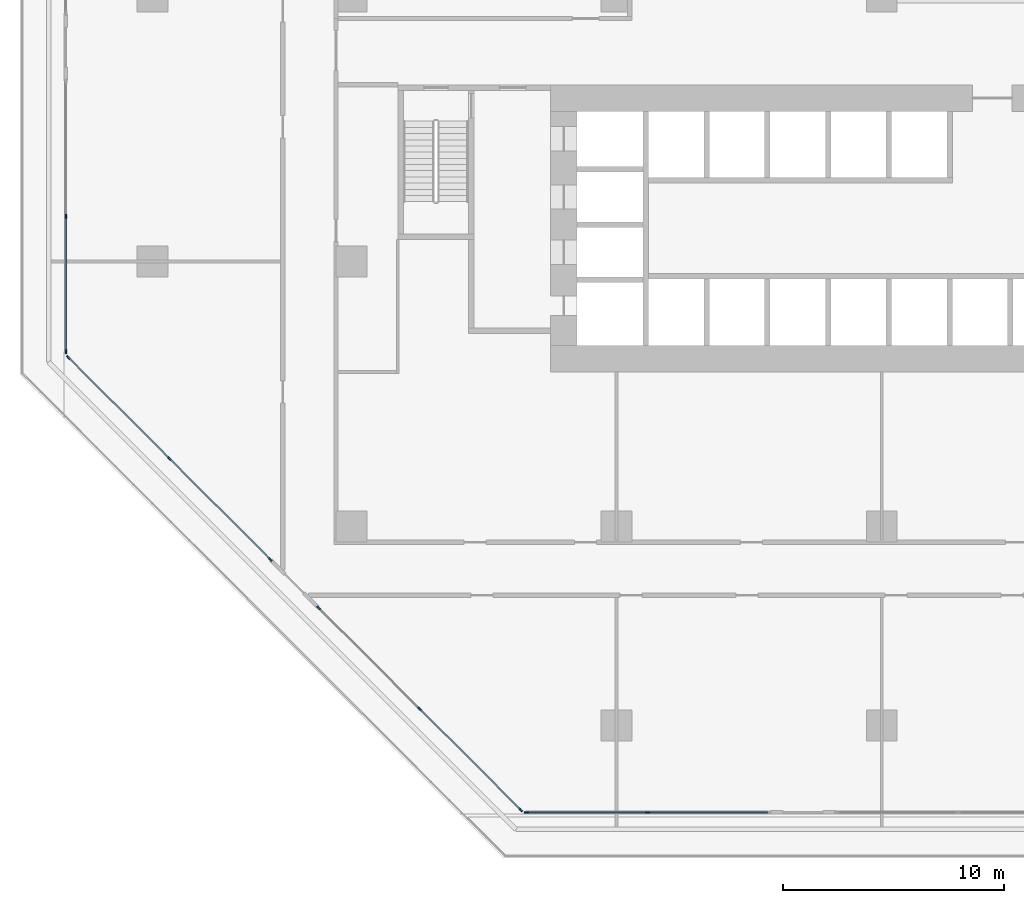
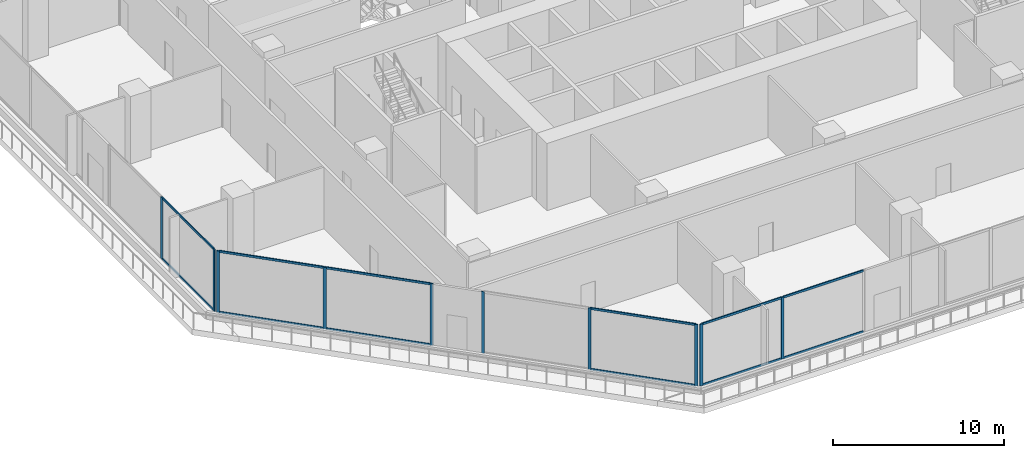
# One storey, part 2 of 31: 22 members, 4 elements without a shape of their own.
"""IFC4 building model written with IfcOpenShell, lengths in metres."""

import ifcopenshell
import ifcopenshell.guid

model = None  # the IFC model being written
_history = None  # IfcOwnerHistory: only IFC2X3 demands one
_inside = {}  # id of a spatial element -> (the spatial element, [elements in it])
_under = {}  # id of a project, library or spatial element -> (it, [spatial elements below it])
_declared = {}  # id of a project -> (the project, [libraries it declares])
_typed = {}  # id of a type object -> (the type object, [elements of that type])
_made_of = {}  # id of a material, layer set ... -> (it, [elements and type objects made of it])


def new_model(schema):
    """Start an empty IFC model of exactly this schema.

    Asked for "IFC4X3", IfcOpenShell would pick the latest addendum, in which some entities
    have other attributes; the version numbers below select the first issue.
    IFC2X3 requires an IfcOwnerHistory on every rooted entity: one is made here for all.
    """
    global model, _history
    if schema == "IFC4X3":
        model = ifcopenshell.file(schema_version=(4, 3, 0, 0))
    else:
        model = ifcopenshell.file(schema=schema)
    _inside.clear()
    _under.clear()
    _declared.clear()
    _typed.clear()
    _made_of.clear()
    _history = None
    if model.schema == "IFC2X3":
        org = make("IfcOrganization", Name="unknown")
        user = make(
            "IfcPersonAndOrganization",
            ThePerson=make("IfcPerson", FamilyName="unknown"),
            TheOrganization=org,
        )
        app = make(
            "IfcApplication",
            ApplicationDeveloper=org,
            Version="unknown",
            ApplicationFullName="unknown",
            ApplicationIdentifier="unknown",
        )
        _history = make(
            "IfcOwnerHistory",
            OwningUser=user,
            OwningApplication=app,
            ChangeAction="ADDED",
            CreationDate=0,
        )
    return model


def make(cls, **values):
    """One entity of the class cls with the attributes given. An attribute that is None is left unset."""
    return model.create_entity(
        cls, **{name: value for name, value in values.items() if value is not None}
    )


def rooted(cls, **values):
    """An entity with a GlobalId (a new one), such as an element, a storey or a relation."""
    return make(cls, GlobalId=ifcopenshell.guid.new(), OwnerHistory=_history, **values)


def si_unit(unit_type, name, prefix=None):
    """IfcSIUnit, for example si_unit("LENGTHUNIT", "METRE", prefix="MILLI")."""
    return make("IfcSIUnit", UnitType=unit_type, Prefix=prefix, Name=name)


def assignment(units):
    """IfcUnitAssignment: the units of a project."""
    return None if units is None else make("IfcUnitAssignment", Units=units)


def point(xyz):
    """IfcCartesianPoint."""
    return None if xyz is None else make("IfcCartesianPoint", Coordinates=xyz)


def direction(xyz):
    """IfcDirection."""
    return None if xyz is None else make("IfcDirection", DirectionRatios=xyz)


def frame(location, z_axis=None, x_axis=None):
    """IfcAxis2Placement3D, a coordinate frame: its origin and axes. An axis left out is left unset."""
    return make(
        "IfcAxis2Placement3D",
        Location=point(location),
        Axis=direction(z_axis),
        RefDirection=direction(x_axis),
    )


def frame_2d(location, x_axis=None):
    """IfcAxis2Placement2D, a coordinate frame in the plane: its origin and x axis."""
    return make(
        "IfcAxis2Placement2D", Location=point(location), RefDirection=direction(x_axis)
    )


def origin():
    """The frame at (0, 0, 0) with its axes left unset."""
    return frame((0.0, 0.0, 0.0))


def origin_2d():
    """The frame at (0, 0) in the plane with its x axis left unset."""
    return frame_2d((0.0, 0.0))


def place(relative_to, where):
    """IfcLocalPlacement: puts the frame where relative to a parent placement (None: the world)."""
    return make(
        "IfcLocalPlacement", PlacementRelTo=relative_to, RelativePlacement=where
    )


def context(
    kind, dimensions, precision=None, world=None, true_north=None, identifier=None
):
    """IfcGeometricRepresentationContext, for example the 3D "Model" context."""
    return make(
        "IfcGeometricRepresentationContext",
        ContextIdentifier=identifier,
        ContextType=kind,
        CoordinateSpaceDimension=dimensions,
        Precision=precision,
        WorldCoordinateSystem=world,
        TrueNorth=true_north,
    )


def subcontext(parent, identifier, kind, view, scale=None):
    """IfcGeometricRepresentationSubContext, for example "Body" below "Model"."""
    return make(
        "IfcGeometricRepresentationSubContext",
        ContextIdentifier=identifier,
        ContextType=kind,
        ParentContext=parent,
        TargetScale=scale,
        TargetView=view,
    )


def project(units=None, contexts=None):
    """IfcProject with its units and contexts."""
    return rooted(
        "IfcProject",
        Name="project",
        RepresentationContexts=contexts,
        UnitsInContext=assignment(units),
    )


def spatial(cls, under=None, at=None, **own):
    """A site, building, storey or space (cls), placed at a placement, below another one or the project."""
    s = rooted(cls, ObjectPlacement=at, **own)
    if under is not None:
        _under.setdefault(under.id(), (under, []))[1].append(s)
    return s


def profile(cls, at=None, kind="AREA", **sizes):
    """A parametric profile (cls). Its sizes go by their IFC names, for example OverallWidth=200.0."""
    return make(cls, ProfileType=kind, Position=at, **sizes)


def rectangle(**sizes):
    """IfcRectangleProfileDef."""
    return profile("IfcRectangleProfileDef", **sizes)


def extrude(swept, where, along, depth):
    """IfcExtrudedAreaSolid: the profile swept, set in the frame where, extruded along a direction by depth."""
    return make(
        "IfcExtrudedAreaSolid",
        SweptArea=swept,
        Position=where,
        ExtrudedDirection=direction(along),
        Depth=depth,
    )


def shape(context_of_items, identifier, shape_type, items):
    """IfcShapeRepresentation: the items that make up one representation, for example the "Body"."""
    return make(
        "IfcShapeRepresentation",
        ContextOfItems=context_of_items,
        RepresentationIdentifier=identifier,
        RepresentationType=shape_type,
        Items=items,
    )


def material(Name=None, Category=None):
    """IfcMaterial."""
    return make("IfcMaterial", Name=Name, Category=Category)


def layer(
    of_material, thickness, ventilated=None, Name=None, Category=None, Priority=None
):
    """IfcMaterialLayer: one layer of a wall or slab, of a material (None: an air gap)."""
    return make(
        "IfcMaterialLayer",
        Material=of_material,
        LayerThickness=thickness,
        IsVentilated=ventilated,
        Name=Name,
        Category=Category,
        Priority=Priority,
    )


def layer_set(layers, Name=None):
    """IfcMaterialLayerSet."""
    return make("IfcMaterialLayerSet", MaterialLayers=layers, LayerSetName=Name)


def material_profile(
    of_material, cross_section, Name=None, Category=None, Priority=None
):
    """IfcMaterialProfile: a cross section and its material."""
    return make(
        "IfcMaterialProfile",
        Name=Name,
        Material=of_material,
        Profile=cross_section,
        Priority=Priority,
        Category=Category,
    )


def profile_set(profiles, Name=None, composite=None):
    """IfcMaterialProfileSet."""
    return make(
        "IfcMaterialProfileSet",
        Name=Name,
        MaterialProfiles=profiles,
        CompositeProfile=composite,
    )


def made_of(thing, what):
    """Note that an element or type object is made of a material, layer set ...; save() writes the relation."""
    if what is not None:
        _made_of.setdefault(what.id(), (what, []))[1].append(thing)
    return thing


def type_object(cls, material=None, **own):
    """A type object (cls), such as IfcWallType, which elements share."""
    return made_of(rooted(cls, **own), material)


def element(
    cls,
    number,
    at=None,
    inside=None,
    cuts=None,
    type_object=None,
    material=None,
    context=None,
    identifier="Body",
    shape_type=None,
    held_by="IfcProductDefinitionShape",
    body=None,
    shapes=None,
    **own,
):
    """One element of the class cls, such as IfcWall. Its Tag is "e" and its number.

    at: its placement. inside: the storey or other place that contains it. cuts: it is an
    opening in that element (IfcRelVoidsElement). A single representation is given by context,
    identifier, shape_type and body (its items); several are given by shapes. held_by: the class
    of the entity that holds the representations. save() writes the other relations.
    """
    e = rooted(cls, Tag="e%d" % number, ObjectPlacement=at, **own)
    if body is not None:
        shapes = [shape(context, identifier, shape_type, body)]
    if shapes is not None:
        e.Representation = make(held_by, Representations=shapes)
    if inside is not None:
        _inside.setdefault(inside.id(), (inside, []))[1].append(e)
    if cuts is not None:
        rooted(
            "IfcRelVoidsElement", RelatingBuildingElement=cuts, RelatedOpeningElement=e
        )
    if type_object is not None:
        _typed.setdefault(type_object.id(), (type_object, []))[1].append(e)
    return made_of(e, material)


def aggregate(whole, parts):
    """IfcRelAggregates: a whole, such as a stair, and the parts it consists of."""
    return rooted("IfcRelAggregates", RelatingObject=whole, RelatedObjects=parts)


def save(model, path):
    """Write the relations noted so far, then the file.

    IfcRelAggregates (storeys below a building ...), IfcRelContainedInSpatialStructure (elements
    in a storey), IfcRelDefinesByType, IfcRelAssociatesMaterial and IfcRelDeclares: one each for
    every whole, place, type object, material and project.
    """
    for whole, parts in _under.values():
        aggregate(whole, parts)
    for where, things in _inside.values():
        rooted(
            "IfcRelContainedInSpatialStructure",
            RelatedElements=things,
            RelatingStructure=where,
        )
    for kind, things in _typed.values():
        rooted("IfcRelDefinesByType", RelatedObjects=things, RelatingType=kind)
    for what, things in _made_of.values():
        rooted("IfcRelAssociatesMaterial", RelatedObjects=things, RelatingMaterial=what)
    for by, libraries in _declared.values():
        rooted("IfcRelDeclares", RelatingContext=by, RelatedDefinitions=libraries)
    model.write(path)


model = new_model("IFC4")

# Units and contexts
model_context = context("Model", 3, precision=1e-05, world=origin(), true_north=direction((0.0, 1.0)))
body_context = subcontext(model_context, "Body", "Model", "MODEL_VIEW")
ifc_project = project(units=[si_unit("LENGTHUNIT", "METRE"), si_unit("AREAUNIT", "SQUARE_METRE"), si_unit("VOLUMEUNIT", "CUBIC_METRE"), si_unit("PLANEANGLEUNIT", "RADIAN"), si_unit("MASSUNIT", "GRAM", prefix="KILO")], contexts=[model_context])

# Site, building, storey
site_placement = place(None, origin())
site = spatial("IfcSite", under=ifc_project, at=site_placement, CompositionType="ELEMENT")
building_placement = place(site_placement, origin())
building = spatial("IfcBuilding", under=site, at=building_placement, Name="Chenar Terraces", CompositionType="ELEMENT")
storey_placement = place(building_placement, frame((0.0, 0.0, 7.199951171875)))
storey = spatial("IfcBuildingStorey", under=building, at=storey_placement, Name="L01", CompositionType="ELEMENT", Elevation=7.199951171875)

# Curtain wall, members
ifc_material_1 = material(Name="Aluminium framed glazing", Category="aluminium")
ifc_layer = layer(ifc_material_1, 0.14990234375)
ifc_layer_set = layer_set([ifc_layer], Name="Aluminium framed glazing")
curtain_wall_type = type_object("IfcCurtainWallType", Name="School curtain wall", PredefinedType="NOTDEFINED", material=ifc_layer_set)
placement = place(storey_placement, origin())
curtain_wall_1 = element("IfcCurtainWall", 1, at=placement, inside=storey, type_object=curtain_wall_type, Name="School curtain wall", PredefinedType="NOTDEFINED")
ifc_material_2 = material(Name="Aluminium", Category="aluminium")
ifc_material_profile_1 = material_profile(ifc_material_2, rectangle(XDim=0.070068359375, YDim=0.199951171875, at=origin_2d()), Name="School glazing mullion 70 x 200")
ifc_profile_set_1 = profile_set([ifc_material_profile_1], Name="Aluminium")
member_type_1 = type_object("IfcMemberType", Name="School glazing mullion 70 x 200", PredefinedType="MULLION", material=ifc_profile_set_1)
member_1_placement = place(storey_placement, frame((-12.925048828125, 14.03369140625, 0.0), z_axis=(0.0, 0.0, 1.0), x_axis=(1.0, 0.0, 0.0)))
member_1 = element("IfcMember", 2, at=member_1_placement, type_object=member_type_1, Name="CW2-04c3 mullion 2", PredefinedType="MULLION", context=body_context, shape_type="SweptSolid", body=[
    extrude(rectangle(XDim=0.070068359375, YDim=0.199951171875, at=origin_2d()), origin(), (0.0, 0.0, 1.0), 4.400146484375),
])
member_2_placement = place(storey_placement, frame((-12.925048828125, 7.92138671875, 0.0), z_axis=(0.0, 0.0, 1.0), x_axis=(1.0, 0.0, 0.0)))
member_2 = element("IfcMember", 3, at=member_2_placement, type_object=member_type_1, Name="CW2-04c3 mullion 3", PredefinedType="MULLION", context=body_context, shape_type="SweptSolid", body=[
    extrude(rectangle(XDim=0.070068359375, YDim=0.199951171875, at=origin_2d()), origin(), (0.0, 0.0, 1.0), 4.400146484375),
])

curtain_wall_2 = element("IfcCurtainWall", 4, at=placement, inside=storey, type_object=curtain_wall_type, Name="School curtain wall", PredefinedType="NOTDEFINED")
member_3_placement = place(storey_placement, frame((-12.816162109375, 7.65869140625, 0.0), z_axis=(0.0, 0.0, 1.0), x_axis=(0.707106781187, 0.707106781187, 0.0)))
member_3 = element("IfcMember", 5, at=member_3_placement, type_object=member_type_1, Name="CW2-05c0 mullion 1", PredefinedType="MULLION", context=body_context, shape_type="SweptSolid", body=[
    extrude(rectangle(XDim=0.070068359375, YDim=0.199951171875, at=origin_2d()), origin(), (0.0, 0.0, 1.0), 4.400146484375),
])
member_4_placement = place(storey_placement, frame((-8.24462890625, 3.087158203125, 0.0), z_axis=(0.0, 0.0, 1.0), x_axis=(0.707106781187, 0.707106781187, 0.0)))
member_4 = element("IfcMember", 6, at=member_4_placement, type_object=member_type_1, Name="CW2-05c0 mullion 2", PredefinedType="MULLION", context=body_context, shape_type="SweptSolid", body=[
    extrude(rectangle(XDim=0.070068359375, YDim=0.199951171875, at=origin_2d()), origin(), (0.0, 0.0, 1.0), 4.400146484375),
])
member_5_placement = place(storey_placement, frame((-3.6728515625, -1.484375, 0.0), z_axis=(0.0, 0.0, 1.0), x_axis=(0.707106781187, 0.707106781187, 0.0)))
member_5 = element("IfcMember", 7, at=member_5_placement, type_object=member_type_1, Name="CW2-05c0 mullion 3", PredefinedType="MULLION", context=body_context, shape_type="SweptSolid", body=[
    extrude(rectangle(XDim=0.070068359375, YDim=0.199951171875, at=origin_2d()), origin(), (0.0, 0.0, 1.0), 4.400146484375),
])

curtain_wall_3 = element("IfcCurtainWall", 8, at=placement, inside=storey, type_object=curtain_wall_type, Name="School curtain wall", PredefinedType="NOTDEFINED")
member_6_placement = place(storey_placement, frame((-1.484375, -3.6728515625, 0.0), z_axis=(0.0, 0.0, 1.0), x_axis=(0.707106781187, 0.707106781187, 0.0)))
member_6 = element("IfcMember", 9, at=member_6_placement, type_object=member_type_1, Name="CW2-05c1 mullion 1", PredefinedType="MULLION", context=body_context, shape_type="SweptSolid", body=[
    extrude(rectangle(XDim=0.070068359375, YDim=0.199951171875, at=origin_2d()), origin(), (0.0, 0.0, 1.0), 4.400146484375),
])
member_7_placement = place(storey_placement, frame((3.087158203125, -8.24462890625, 0.0), z_axis=(0.0, 0.0, 1.0), x_axis=(0.707106781187, 0.707106781187, 0.0)))
member_7 = element("IfcMember", 10, at=member_7_placement, type_object=member_type_1, Name="CW2-05c1 mullion 2", PredefinedType="MULLION", context=body_context, shape_type="SweptSolid", body=[
    extrude(rectangle(XDim=0.070068359375, YDim=0.199951171875, at=origin_2d()), origin(), (0.0, 0.0, 1.0), 4.400146484375),
])
member_8_placement = place(storey_placement, frame((7.65869140625, -12.816162109375, 0.0), z_axis=(0.0, 0.0, 1.0), x_axis=(0.707106781187, 0.707106781187, 0.0)))
member_8 = element("IfcMember", 11, at=member_8_placement, type_object=member_type_1, Name="CW2-05c1 mullion 3", PredefinedType="MULLION", context=body_context, shape_type="SweptSolid", body=[
    extrude(rectangle(XDim=0.070068359375, YDim=0.199951171875, at=origin_2d()), origin(), (0.0, 0.0, 1.0), 4.400146484375),
])

curtain_wall_4 = element("IfcCurtainWall", 12, at=placement, inside=storey, type_object=curtain_wall_type, Name="School curtain wall", PredefinedType="NOTDEFINED")
member_9_placement = place(storey_placement, frame((7.92138671875, -12.925048828125, 0.0), z_axis=(0.0, 0.0, 1.0), x_axis=(0.0, 1.0, 0.0)))
member_9 = element("IfcMember", 13, at=member_9_placement, type_object=member_type_1, Name="CW2-06c0 mullion 1", PredefinedType="MULLION", context=body_context, shape_type="SweptSolid", body=[
    extrude(rectangle(XDim=0.070068359375, YDim=0.199951171875, at=origin_2d()), origin(), (0.0, 0.0, 1.0), 4.400146484375),
])
member_10_placement = place(storey_placement, frame((13.40283203125, -12.925048828125, 0.0), z_axis=(0.0, 0.0, 1.0), x_axis=(0.0, 1.0, 0.0)))
member_10 = element("IfcMember", 14, at=member_10_placement, type_object=member_type_1, Name="CW2-06c0 mullion 2", PredefinedType="MULLION", context=body_context, shape_type="SweptSolid", body=[
    extrude(rectangle(XDim=0.070068359375, YDim=0.199951171875, at=origin_2d()), origin(), (0.0, 0.0, 1.0), 4.400146484375),
])

# Member
ifc_material_3 = material(Name="Aluminium", Category="aluminium")
ifc_material_profile_2 = material_profile(ifc_material_3, rectangle(XDim=0.070068359375, YDim=0.14990234375, at=origin_2d()), Name="School glazing transom 70 x 150")
ifc_profile_set_2 = profile_set([ifc_material_profile_2], Name="Aluminium")
member_type_2 = type_object("IfcMemberType", Name="School glazing transom 70 x 150", PredefinedType="USERDEFINED", material=ifc_profile_set_2)
member_11_placement = place(storey_placement, frame((-12.925048828125, 13.99853515625, 0.03515625), z_axis=(0.0, -1.0, 0.0), x_axis=(1.0, 0.0, 0.0)))
member_11 = element("IfcMember", 15, at=member_11_placement, type_object=member_type_2, Name="CW2-04c3 transom 2.1", ObjectType="TRANSOM", PredefinedType="USERDEFINED", context=body_context, shape_type="SweptSolid", body=[
    extrude(rectangle(XDim=0.070068359375, YDim=0.14990234375, at=origin_2d()), origin(), (0.0, 0.0, 1.0), 6.0419921875),
])

member_12_placement = place(storey_placement, frame((-12.925048828125, 13.99853515625, 4.364990234375), z_axis=(0.0, -1.0, 0.0), x_axis=(1.0, 0.0, 0.0)))
member_12 = element("IfcMember", 16, at=member_12_placement, type_object=member_type_2, Name="CW2-04c3 transom 2.2", ObjectType="TRANSOM", PredefinedType="USERDEFINED", context=body_context, shape_type="SweptSolid", body=[
    extrude(rectangle(XDim=0.070068359375, YDim=0.14990234375, at=origin_2d()), origin(), (0.0, 0.0, 1.0), 6.0419921875),
])

aggregate(curtain_wall_1, [member_1, member_2, member_11, member_12])

member_13_placement = place(storey_placement, frame((-12.79150390625, 7.634033203125, 0.03515625), z_axis=(0.707106781187, -0.707106781187, 0.0), x_axis=(0.707106781187, 0.707106781187, 0.0)))
member_13 = element("IfcMember", 17, at=member_13_placement, type_object=member_type_2, Name="CW2-05c0 transom 1.1", ObjectType="TRANSOM", PredefinedType="USERDEFINED", context=body_context, shape_type="SweptSolid", body=[
    extrude(rectangle(XDim=0.070068359375, YDim=0.14990234375, at=origin_2d()), origin(), (0.0, 0.0, 1.0), 6.395263671875),
])

member_14_placement = place(storey_placement, frame((-12.79150390625, 7.634033203125, 4.364990234375), z_axis=(0.707106781187, -0.707106781187, 0.0), x_axis=(0.707106781187, 0.707106781187, 0.0)))
member_14 = element("IfcMember", 18, at=member_14_placement, type_object=member_type_2, Name="CW2-05c0 transom 1.2", ObjectType="TRANSOM", PredefinedType="USERDEFINED", context=body_context, shape_type="SweptSolid", body=[
    extrude(rectangle(XDim=0.070068359375, YDim=0.14990234375, at=origin_2d()), origin(), (0.0, 0.0, 1.0), 6.395263671875),
])

member_15_placement = place(storey_placement, frame((-8.2197265625, 3.062255859375, 0.03515625), z_axis=(0.707106781187, -0.707106781187, 0.0), x_axis=(0.707106781187, 0.707106781187, 0.0)))
member_15 = element("IfcMember", 19, at=member_15_placement, type_object=member_type_2, Name="CW2-05c0 transom 2.1", ObjectType="TRANSOM", PredefinedType="USERDEFINED", context=body_context, shape_type="SweptSolid", body=[
    extrude(rectangle(XDim=0.070068359375, YDim=0.14990234375, at=origin_2d()), origin(), (0.0, 0.0, 1.0), 6.39501953125),
])

member_16_placement = place(storey_placement, frame((-8.2197265625, 3.062255859375, 4.364990234375), z_axis=(0.707106781187, -0.707106781187, 0.0), x_axis=(0.707106781187, 0.707106781187, 0.0)))
member_16 = element("IfcMember", 20, at=member_16_placement, type_object=member_type_2, Name="CW2-05c0 transom 2.2", ObjectType="TRANSOM", PredefinedType="USERDEFINED", context=body_context, shape_type="SweptSolid", body=[
    extrude(rectangle(XDim=0.070068359375, YDim=0.14990234375, at=origin_2d()), origin(), (0.0, 0.0, 1.0), 6.39501953125),
])

aggregate(curtain_wall_2, [member_3, member_4, member_5, member_13, member_14, member_15, member_16])

member_17_placement = place(storey_placement, frame((3.11181640625, -8.269287109375, 0.03515625), z_axis=(0.707106781187, -0.707106781187, 0.0), x_axis=(0.707106781187, 0.707106781187, 0.0)))
member_17 = element("IfcMember", 21, at=member_17_placement, type_object=member_type_2, Name="CW2-05c1 transom 2.1", ObjectType="TRANSOM", PredefinedType="USERDEFINED", context=body_context, shape_type="SweptSolid", body=[
    extrude(rectangle(XDim=0.070068359375, YDim=0.14990234375, at=origin_2d()), origin(), (0.0, 0.0, 1.0), 6.395263671875),
])

member_18_placement = place(storey_placement, frame((3.11181640625, -8.269287109375, 4.364990234375), z_axis=(0.707106781187, -0.707106781187, 0.0), x_axis=(0.707106781187, 0.707106781187, 0.0)))
member_18 = element("IfcMember", 22, at=member_18_placement, type_object=member_type_2, Name="CW2-05c1 transom 2.2", ObjectType="TRANSOM", PredefinedType="USERDEFINED", context=body_context, shape_type="SweptSolid", body=[
    extrude(rectangle(XDim=0.070068359375, YDim=0.14990234375, at=origin_2d()), origin(), (0.0, 0.0, 1.0), 6.395263671875),
])

aggregate(curtain_wall_3, [member_6, member_7, member_8, member_17, member_18])

member_19_placement = place(storey_placement, frame((7.95654296875, -12.925048828125, 0.03515625), z_axis=(1.0, 0.0, 0.0), x_axis=(0.0, 1.0, 0.0)))
member_19 = element("IfcMember", 23, at=member_19_placement, type_object=member_type_2, Name="CW2-06c0 transom 1.1", ObjectType="TRANSOM", PredefinedType="USERDEFINED", context=body_context, shape_type="SweptSolid", body=[
    extrude(rectangle(XDim=0.070068359375, YDim=0.14990234375, at=origin_2d()), origin(), (0.0, 0.0, 1.0), 5.411376953125),
])

member_20_placement = place(storey_placement, frame((7.95654296875, -12.925048828125, 4.364990234375), z_axis=(1.0, 0.0, 0.0), x_axis=(0.0, 1.0, 0.0)))
member_20 = element("IfcMember", 24, at=member_20_placement, type_object=member_type_2, Name="CW2-06c0 transom 1.2", ObjectType="TRANSOM", PredefinedType="USERDEFINED", context=body_context, shape_type="SweptSolid", body=[
    extrude(rectangle(XDim=0.070068359375, YDim=0.14990234375, at=origin_2d()), origin(), (0.0, 0.0, 1.0), 5.411376953125),
])

member_21_placement = place(storey_placement, frame((13.43798828125, -12.925048828125, 0.03515625), z_axis=(1.0, 0.0, 0.0), x_axis=(0.0, 1.0, 0.0)))
member_21 = element("IfcMember", 25, at=member_21_placement, type_object=member_type_2, Name="CW2-06c0 transom 2.1", ObjectType="TRANSOM", PredefinedType="USERDEFINED", context=body_context, shape_type="SweptSolid", body=[
    extrude(rectangle(XDim=0.070068359375, YDim=0.14990234375, at=origin_2d()), origin(), (0.0, 0.0, 1.0), 5.411376953125),
])

member_22_placement = place(storey_placement, frame((13.43798828125, -12.925048828125, 4.364990234375), z_axis=(1.0, 0.0, 0.0), x_axis=(0.0, 1.0, 0.0)))
member_22 = element("IfcMember", 26, at=member_22_placement, type_object=member_type_2, Name="CW2-06c0 transom 2.2", ObjectType="TRANSOM", PredefinedType="USERDEFINED", context=body_context, shape_type="SweptSolid", body=[
    extrude(rectangle(XDim=0.070068359375, YDim=0.14990234375, at=origin_2d()), origin(), (0.0, 0.0, 1.0), 5.411376953125),
])

aggregate(curtain_wall_4, [member_9, member_10, member_19, member_20, member_21, member_22])

save(model, "model.ifc")
